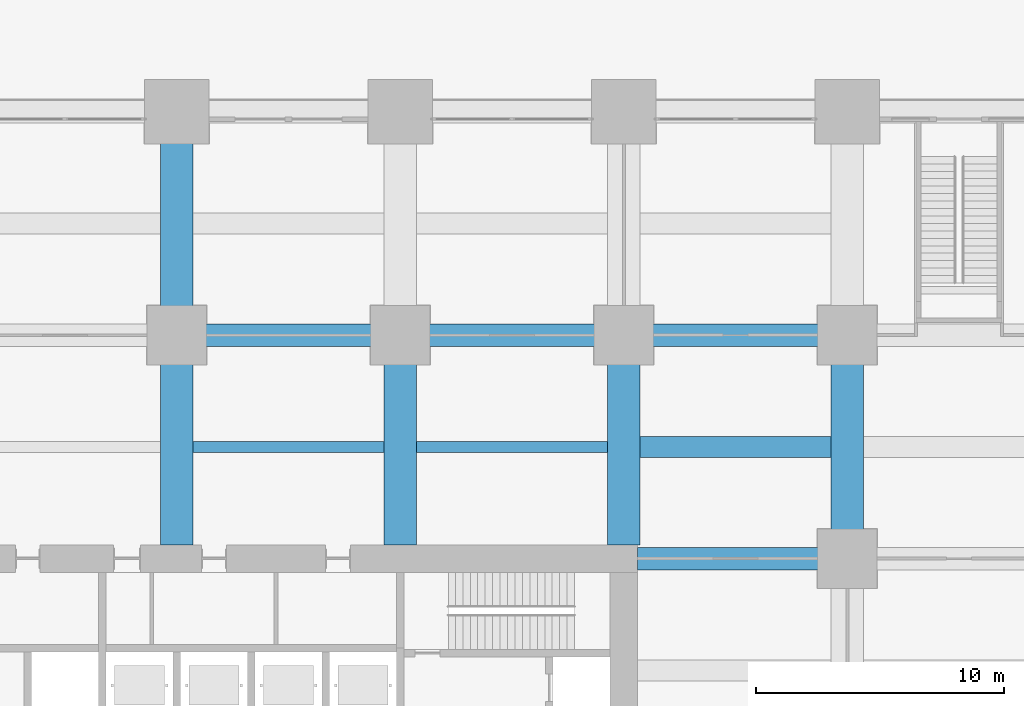
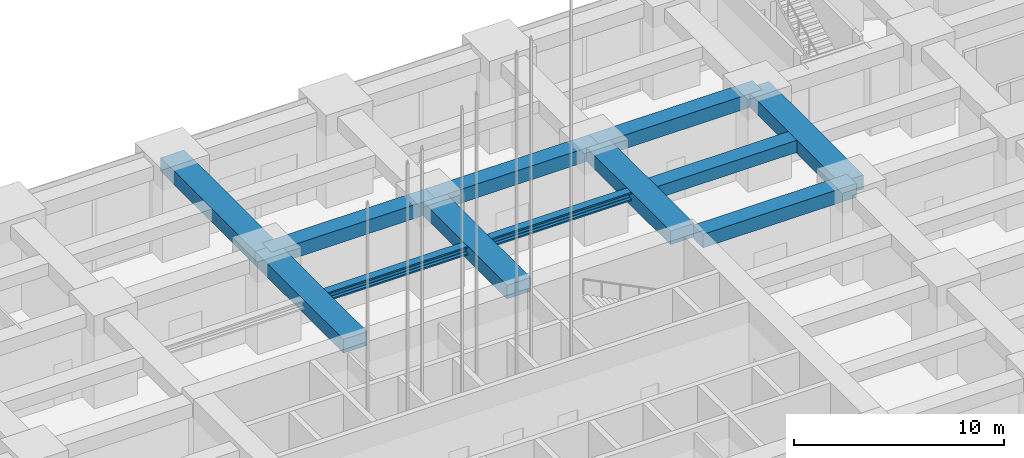
# One storey, part 25 of 56: 12 beams.
"""IFC4 building model written with IfcOpenShell, lengths in metres."""

from ifc_helpers import new_model, si_unit, direction, frame, origin, origin_2d, place, context, subcontext, project, spatial, rectangle, i_section, extrude, material, material_profile, profile_set, type_object, element, save


model = new_model("IFC4")

# Units and contexts
model_context = context("Model", 3, precision=1e-05, world=origin(), true_north=direction((0.0, 1.0)))
body_context = subcontext(model_context, "Body", "Model", "MODEL_VIEW")
ifc_project = project(units=[si_unit("LENGTHUNIT", "METRE"), si_unit("AREAUNIT", "SQUARE_METRE"), si_unit("VOLUMEUNIT", "CUBIC_METRE"), si_unit("PLANEANGLEUNIT", "RADIAN"), si_unit("MASSUNIT", "GRAM", prefix="KILO")], contexts=[model_context])

# Site, building, storey
site_placement = place(None, origin())
site = spatial("IfcSite", under=ifc_project, at=site_placement, CompositionType="ELEMENT")
building_placement = place(site_placement, origin())
building = spatial("IfcBuilding", under=site, at=building_placement, Name="Zorevar Civic Tower", CompositionType="ELEMENT")
storey_placement = place(building_placement, origin())
storey = spatial("IfcBuildingStorey", under=building, at=storey_placement, Name="L00", CompositionType="ELEMENT", Elevation=0.0)

# Beams
ifc_material_1 = material(Name="Concrete C50/60", Category="concrete")
ifc_material_profile_1 = material_profile(ifc_material_1, rectangle(XDim=1.300048828125, YDim=0.800048828125, at=origin_2d()), Name="RC 1300x800")
ifc_profile_set_1 = profile_set([ifc_material_profile_1], Name="Concrete C50/60")
beam_type_1 = type_object("IfcBeamType", Name="Beam RC 1300x800", PredefinedType="BEAM", material=ifc_profile_set_1)
beam_1_placement = place(storey_placement, frame((27.0, 36.550048828125, 4.699951171875), z_axis=(0.0, 1.0, 0.0), x_axis=(-1.0, 0.0, 0.0)))
element("IfcBeam", 1, at=beam_1_placement, inside=storey, type_object=beam_type_1, Name="Girder L01", PredefinedType="BEAM", context=body_context, shape_type="SweptSolid", body=[
    extrude(rectangle(XDim=1.300048828125, YDim=0.800048828125, at=origin_2d()), origin(), (0.0, 0.0, 1.0), 8.449951171875),
])
beam_2_placement = place(storey_placement, frame((27.0, 45.0, 4.699951171875), z_axis=(0.0, 1.0, 0.0), x_axis=(-1.0, 0.0, 0.0)))
element("IfcBeam", 2, at=beam_2_placement, inside=storey, type_object=beam_type_1, Name="Girder L01", PredefinedType="BEAM", context=body_context, shape_type="SweptSolid", body=[
    extrude(rectangle(XDim=1.300048828125, YDim=0.800048828125, at=origin_2d()), origin(), (0.0, 0.0, 1.0), 9.0),
])
for number, where, z_axis, x_axis, name in (
    (3, (36.0, 36.550048828125, 4.699951171875), (0.0, 1.0, 0.0), (-1.0, 0.0, 0.0), "Girder L01"),
    (4, (45.0, 36.550048828125, 4.699951171875), (0.0, 1.0, 0.0), (-1.0, 0.0, 0.0), "Girder L01"),
):
    element("IfcBeam", number, at=place(storey_placement, frame(where, z_axis=z_axis, x_axis=x_axis)), inside=storey, type_object=beam_type_1, Name=name, PredefinedType="BEAM", context=body_context, shape_type="SweptSolid", body=[
        extrude(rectangle(XDim=1.300048828125, YDim=0.800048828125, at=origin_2d()), origin(), (0.0, 0.0, 1.0), 8.449951171875),
    ])
beam_3_placement = place(storey_placement, frame((54.0, 36.0, 4.699951171875), z_axis=(0.0, 1.0, 0.0), x_axis=(-1.0, 0.0, 0.0)))
element("IfcBeam", 5, at=beam_3_placement, inside=storey, type_object=beam_type_1, Name="Girder L01", PredefinedType="BEAM", context=body_context, shape_type="SweptSolid", body=[
    extrude(rectangle(XDim=1.300048828125, YDim=0.800048828125, at=origin_2d()), origin(), (0.0, 0.0, 1.0), 9.0),
])
ifc_material_2 = material(Name="Concrete C50/60", Category="concrete")
ifc_material_profile_2 = material_profile(ifc_material_2, rectangle(XDim=0.85009765625, YDim=0.699951171875, at=origin_2d()), Name="RC 850x700")
ifc_profile_set_2 = profile_set([ifc_material_profile_2], Name="Concrete C50/60")
beam_type_2 = type_object("IfcBeamType", Name="Beam RC 850x700", PredefinedType="BEAM", material=ifc_profile_set_2)
beam_4_placement = place(storey_placement, frame((45.64990234375, 40.5, 4.75), z_axis=(1.0, 0.0, 0.0), x_axis=(0.0, 1.0, 0.0)))
element("IfcBeam", 6, at=beam_4_placement, inside=storey, type_object=beam_type_2, Name="Secondary beam L01", PredefinedType="BEAM", context=body_context, shape_type="SweptSolid", body=[
    extrude(rectangle(XDim=0.85009765625, YDim=0.699951171875, at=origin_2d()), origin(), (0.0, 0.0, 1.0), 7.7001953125),
])
ifc_material_3 = material(Name="Concrete C50/60", Category="concrete")
ifc_material_profile_3 = material_profile(ifc_material_3, rectangle(XDim=0.89990234375, YDim=0.800048828125, at=origin_2d()), Name="RC 900x800")
ifc_profile_set_3 = profile_set([ifc_material_profile_3], Name="Concrete C50/60")
beam_type_3 = type_object("IfcBeamType", Name="Beam RC 900x800", PredefinedType="BEAM", material=ifc_profile_set_3)
beam_5_placement = place(storey_placement, frame((45.550048828125, 36.0, 4.699951171875), z_axis=(1.0, 0.0, 0.0), x_axis=(0.0, 1.0, 0.0)))
element("IfcBeam", 7, at=beam_5_placement, inside=storey, type_object=beam_type_3, Name="Girder L01", PredefinedType="BEAM", context=body_context, shape_type="SweptSolid", body=[
    extrude(rectangle(XDim=0.89990234375, YDim=0.800048828125, at=origin_2d()), origin(), (0.0, 0.0, 1.0), 8.449951171875),
])
for number, where, z_axis, x_axis, name in (
    (8, (27.0, 45.0, 4.699951171875), (1.0, 0.0, 0.0), (0.0, 1.0, 0.0), "Girder L01"),
    (9, (36.0, 45.0, 4.699951171875), (1.0, 0.0, 0.0), (0.0, 1.0, 0.0), "Girder L01"),
    (10, (45.0, 45.0, 4.699951171875), (1.0, 0.0, 0.0), (0.0, 1.0, 0.0), "Girder L01"),
):
    element("IfcBeam", number, at=place(storey_placement, frame(where, z_axis=z_axis, x_axis=x_axis)), inside=storey, type_object=beam_type_3, Name=name, PredefinedType="BEAM", context=body_context, shape_type="SweptSolid", body=[
        extrude(rectangle(XDim=0.89990234375, YDim=0.800048828125, at=origin_2d()), origin(), (0.0, 0.0, 1.0), 9.0),
    ])
ifc_material_4 = material(Name="Steel S460M (HISTAR 460)", Category="steel")
ifc_material_profile_4 = material_profile(ifc_material_4, i_section(OverallWidth=0.431884765625, OverallDepth=0.498046875, WebThickness=0.0556640625, FlangeThickness=0.0888671875, FilletRadius=0.014892578125, at=origin_2d()), Name="HD 400x744")
ifc_profile_set_4 = profile_set([ifc_material_profile_4], Name="Steel S460M (HISTAR 460)")
beam_type_4 = type_object("IfcBeamType", Name="Core bay beam HD 400x744", PredefinedType="BEAM", material=ifc_profile_set_4)
for number, where, z_axis, x_axis, name in (
    (11, (27.64990234375, 40.5, 4.85107421875), (1.0, 0.0, 0.0), (0.0, 1.0, 0.0), "Secondary beam L01"),
    (12, (36.64990234375, 40.5, 4.85107421875), (1.0, 0.0, 0.0), (0.0, 1.0, 0.0), "Secondary beam L01"),
):
    element("IfcBeam", number, at=place(storey_placement, frame(where, z_axis=z_axis, x_axis=x_axis)), inside=storey, type_object=beam_type_4, Name=name, PredefinedType="BEAM", context=body_context, shape_type="SweptSolid", body=[
        extrude(i_section(OverallWidth=0.431884765625, OverallDepth=0.498046875, WebThickness=0.0556640625, FlangeThickness=0.0888671875, FilletRadius=0.014892578125, at=origin_2d()), origin(), (0.0, 0.0, 1.0), 7.7001953125),
    ])

save(model, "model.ifc")
